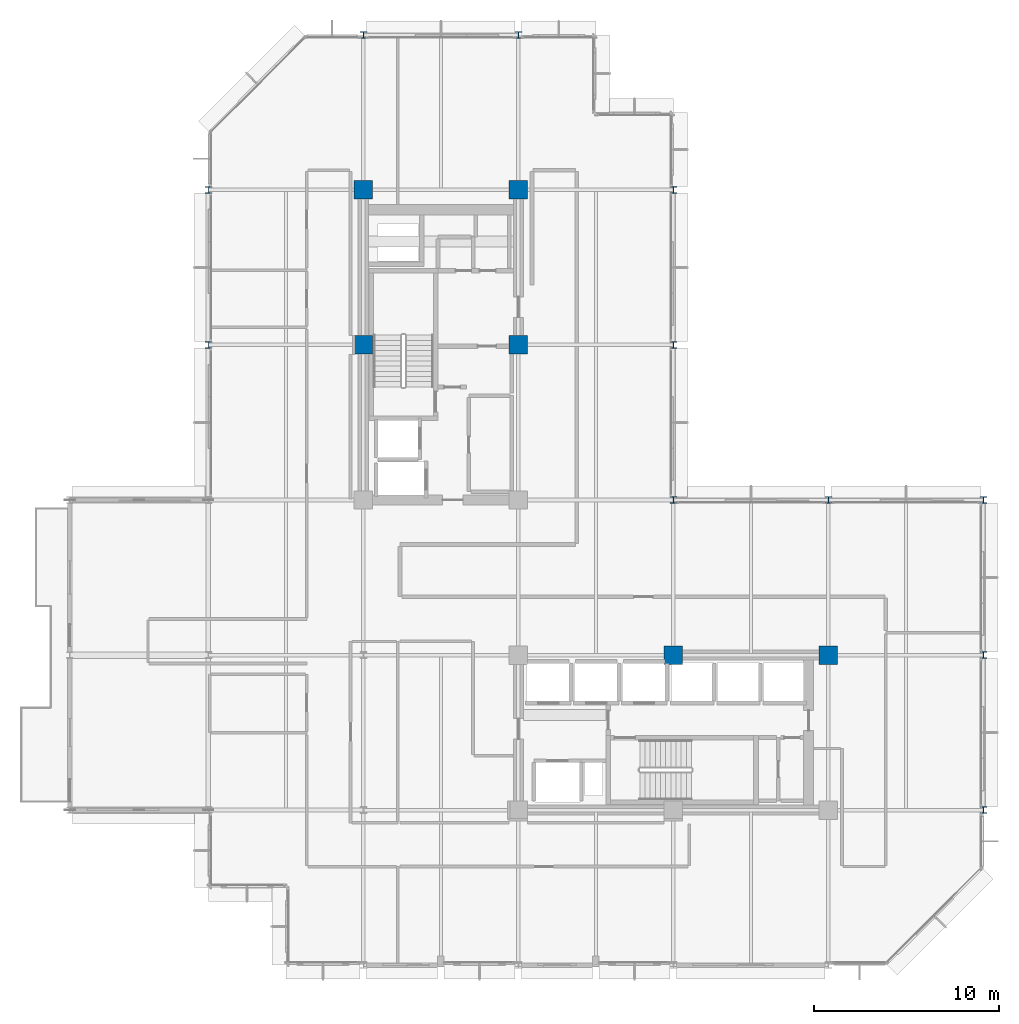
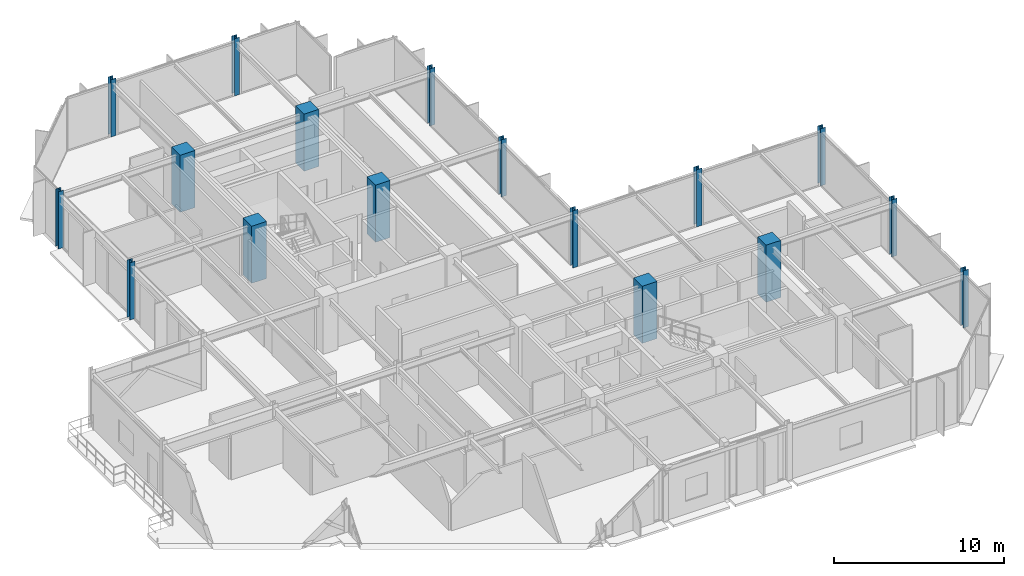
# One storey, part 2 of 30: 17 columns.
"""IFC4 building model written with IfcOpenShell, lengths in metres."""

from ifc_helpers import new_model, si_unit, direction, frame, origin, origin_2d, place, context, subcontext, project, spatial, rectangle, i_section, extrude, material, material_profile, profile_set, type_object, element, save


model = new_model("IFC4")

# Units and contexts
model_context = context("Model", 3, precision=1e-05, world=origin(), true_north=direction((0.0, 1.0)))
body_context = subcontext(model_context, "Body", "Model", "MODEL_VIEW")
ifc_project = project(units=[si_unit("LENGTHUNIT", "METRE"), si_unit("AREAUNIT", "SQUARE_METRE"), si_unit("VOLUMEUNIT", "CUBIC_METRE"), si_unit("PLANEANGLEUNIT", "RADIAN"), si_unit("MASSUNIT", "GRAM", prefix="KILO")], contexts=[model_context])

# Site, building, storey
site_placement = place(None, origin())
site = spatial("IfcSite", under=ifc_project, at=site_placement, CompositionType="ELEMENT")
building_placement = place(site_placement, origin())
building = spatial("IfcBuilding", under=site, at=building_placement, Name="Nerrivon Quay Data Exchange", CompositionType="ELEMENT")
storey_placement = place(building_placement, frame((0.0, 0.0, 171.39990234375)))
storey = spatial("IfcBuildingStorey", under=building, at=storey_placement, Name="L40", CompositionType="ELEMENT", Elevation=171.39990234375)

# Columns
ifc_material_1 = material(Name="Concrete S65 (65 MPa)", Category="concrete")
ifc_material_profile_1 = material_profile(ifc_material_1, rectangle(XDim=1.0, YDim=1.0, at=origin_2d()), Name="RC-COL-1000x1000")
ifc_profile_set_1 = profile_set([ifc_material_profile_1], Name="Concrete S65 (65 MPa)")
column_type_1 = type_object("IfcColumnType", Name="COL-C4-1000", PredefinedType="COLUMN", material=ifc_profile_set_1)
for number, where, z_axis, x_axis, name in (
    (1, (8.39990234375, 33.60009765625, 0.0), (0.0, 0.0, 1.0), (1.0, 0.0, 0.0), "L40 Column (8.4,33.6)"),
    (2, (8.39990234375, 42.0, 0.0), (0.0, 0.0, 1.0), (1.0, 0.0, 0.0), "L40 Column (8.4,42.0)"),
    (3, (16.800048828125, 33.60009765625, 0.0), (0.0, 0.0, 1.0), (1.0, 0.0, 0.0), "L40 Column (16.8,33.6)"),
    (4, (16.800048828125, 42.0, 0.0), (0.0, 0.0, 1.0), (1.0, 0.0, 0.0), "L40 Column (16.8,42.0)"),
    (5, (25.199951171875, 16.800048828125, 0.0), (0.0, 0.0, 1.0), (1.0, 0.0, 0.0), "L40 Column (25.2,16.8)"),
    (6, (33.60009765625, 16.800048828125, 0.0), (0.0, 0.0, 1.0), (1.0, 0.0, 0.0), "L40 Column (33.6,16.8)"),
):
    element("IfcColumn", number, at=place(storey_placement, frame(where, z_axis=z_axis, x_axis=x_axis)), inside=storey, type_object=column_type_1, Name=name, PredefinedType="COLUMN", context=body_context, shape_type="SweptSolid", body=[
        extrude(rectangle(XDim=1.0, YDim=1.0, at=origin_2d()), origin(), (0.0, 0.0, 1.0), 4.10009765625),
    ])
ifc_material_2 = material(Name="Steel Grade 350", Category="steel")
ifc_material_profile_2 = material_profile(ifc_material_2, i_section(OverallWidth=0.35009765625, OverallDepth=0.35009765625, WebThickness=0.02001953125, FlangeThickness=0.031982421875, at=origin_2d()), Name="350WC230")
ifc_profile_set_2 = profile_set([ifc_material_profile_2], Name="Steel Grade 350")
column_type_2 = type_object("IfcColumnType", Name="COL-SC3-350WC", PredefinedType="COLUMN", material=ifc_profile_set_2)
for number, where, z_axis, x_axis, name in (
    (7, (0.0, 33.60009765625, 0.0), (0.0, 0.0, 1.0), (1.0, 0.0, 0.0), "L40 Column (0.0,33.6)"),
    (8, (0.0, 42.0, 0.0), (0.0, 0.0, 1.0), (1.0, 0.0, 0.0), "L40 Column (0.0,42.0)"),
    (9, (8.39990234375, 50.39990234375, 0.0), (0.0, 0.0, 1.0), (1.0, 0.0, 0.0), "L40 Column (8.4,50.4)"),
    (10, (16.800048828125, 50.39990234375, 0.0), (0.0, 0.0, 1.0), (1.0, 0.0, 0.0), "L40 Column (16.8,50.4)"),
    (11, (25.199951171875, 25.199951171875, 0.0), (0.0, 0.0, 1.0), (1.0, 0.0, 0.0), "L40 Column (25.2,25.2)"),
    (12, (25.199951171875, 33.60009765625, 0.0), (0.0, 0.0, 1.0), (1.0, 0.0, 0.0), "L40 Column (25.2,33.6)"),
    (13, (25.199951171875, 42.0, 0.0), (0.0, 0.0, 1.0), (1.0, 0.0, 0.0), "L40 Column (25.2,42.0)"),
    (14, (33.60009765625, 25.199951171875, 0.0), (0.0, 0.0, 1.0), (1.0, 0.0, 0.0), "L40 Column (33.6,25.2)"),
    (15, (42.0, 8.39990234375, 0.0), (0.0, 0.0, 1.0), (1.0, 0.0, 0.0), "L40 Column (42.0,8.4)"),
    (16, (42.0, 16.800048828125, 0.0), (0.0, 0.0, 1.0), (1.0, 0.0, 0.0), "L40 Column (42.0,16.8)"),
    (17, (42.0, 25.199951171875, 0.0), (0.0, 0.0, 1.0), (1.0, 0.0, 0.0), "L40 Column (42.0,25.2)"),
):
    element("IfcColumn", number, at=place(storey_placement, frame(where, z_axis=z_axis, x_axis=x_axis)), inside=storey, type_object=column_type_2, Name=name, PredefinedType="COLUMN", context=body_context, shape_type="SweptSolid", body=[
        extrude(i_section(OverallWidth=0.35009765625, OverallDepth=0.35009765625, WebThickness=0.02001953125, FlangeThickness=0.031982421875, at=origin_2d()), origin(), (0.0, 0.0, 1.0), 4.10009765625),
    ])

save(model, "model.ifc")
